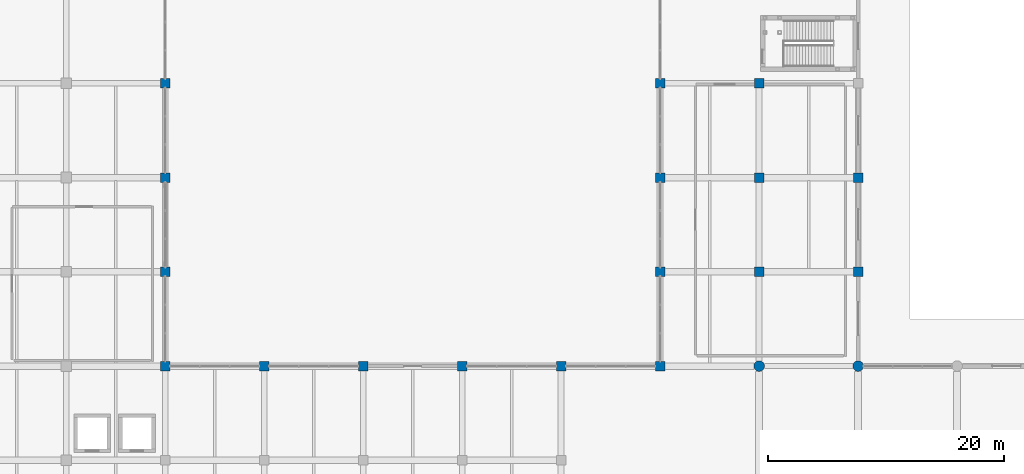
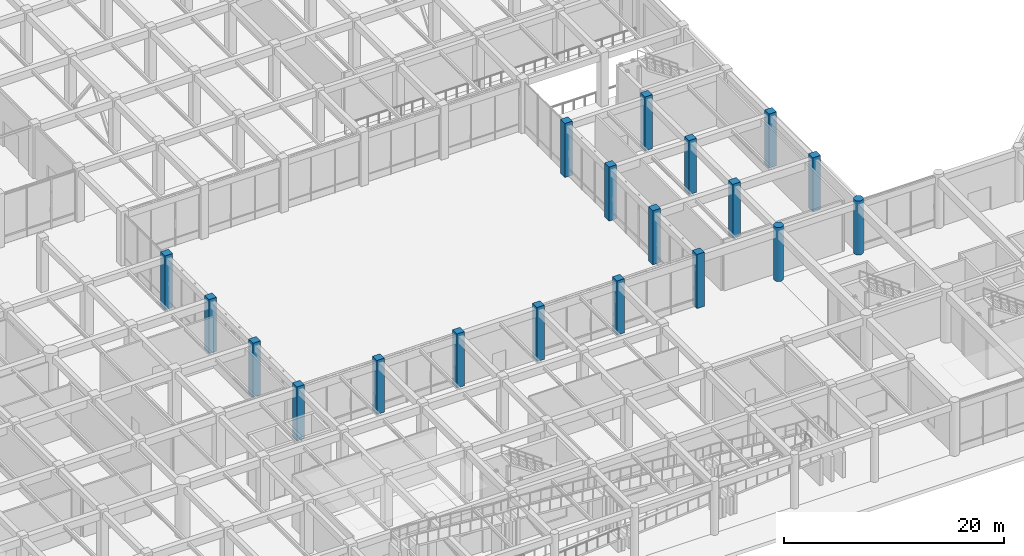
# One storey, part 7 of 76: 19 columns.
"""IFC4 building model written with IfcOpenShell, lengths in metres."""

from ifc_helpers import new_model, si_unit, direction, frame, origin, origin_2d, place, context, subcontext, project, spatial, rectangle, circle, extrude, material, material_profile, profile_set, type_object, element, save


model = new_model("IFC4")

# Units and contexts
model_context = context("Model", 3, precision=1e-05, world=origin(), true_north=direction((0.0, 1.0)))
body_context = subcontext(model_context, "Body", "Model", "MODEL_VIEW")
ifc_project = project(units=[si_unit("LENGTHUNIT", "METRE"), si_unit("AREAUNIT", "SQUARE_METRE"), si_unit("VOLUMEUNIT", "CUBIC_METRE"), si_unit("PLANEANGLEUNIT", "RADIAN"), si_unit("MASSUNIT", "GRAM", prefix="KILO")], contexts=[model_context])

# Site, building, storey
site_placement = place(None, origin())
site = spatial("IfcSite", under=ifc_project, at=site_placement, CompositionType="ELEMENT")
building_placement = place(site_placement, origin())
building = spatial("IfcBuilding", under=site, at=building_placement, Name="Naruveol Harbour Congress Hotel", CompositionType="ELEMENT")
storey_placement = place(building_placement, origin())
storey = spatial("IfcBuildingStorey", under=building, at=storey_placement, Name="L00", CompositionType="ELEMENT", Elevation=0.0)

# Columns
ifc_material_1 = material(Name="Concrete C50/60", Category="concrete")
ifc_material_profile_1 = material_profile(ifc_material_1, circle(Radius=0.449951171875, at=origin_2d()), Name="RC-D900")
ifc_profile_set_1 = profile_set([ifc_material_profile_1], Name="Concrete C50/60")
column_type_1 = type_object("IfcColumnType", Name="RC HARBOUR PILOTIS D900", PredefinedType="COLUMN", material=ifc_profile_set_1)
for number, where, z_axis, x_axis, name in (
    (1, (117.60009765625, 32.0, 0.0), (0.0, 0.0, 1.0), (1.0, 0.0, 0.0), "Column C-PD900 L00 (117.6,32.0)"),
    (2, (126.0, 32.0, 0.0), (0.0, 0.0, 1.0), (1.0, 0.0, 0.0), "Column C-PD900 L00 (126.0,32.0)"),
):
    element("IfcColumn", number, at=place(storey_placement, frame(where, z_axis=z_axis, x_axis=x_axis)), inside=storey, type_object=column_type_1, Name=name, PredefinedType="COLUMN", context=body_context, shape_type="SweptSolid", body=[
        extrude(circle(Radius=0.449951171875, at=origin_2d()), origin(), (0.0, 0.0, 1.0), 6.0),
    ])
ifc_material_2 = material(Name="Concrete C50/60", Category="concrete")
ifc_material_profile_2 = material_profile(ifc_material_2, rectangle(XDim=0.800048828125, YDim=0.800048828125, at=origin_2d()), Name="RC-800x800")
ifc_profile_set_2 = profile_set([ifc_material_profile_2], Name="Concrete C50/60")
column_type_2 = type_object("IfcColumnType", Name="RC PODIUM COLUMN 800X800", PredefinedType="COLUMN", material=ifc_profile_set_2)
for number, where, z_axis, x_axis, name in (
    (3, (67.199951171875, 32.0, 0.0), (0.0, 0.0, 1.0), (1.0, 0.0, 0.0), "Column C-800 L00 (67.2,32.0)"),
    (4, (67.199951171875, 40.0, 0.0), (0.0, 0.0, 1.0), (1.0, 0.0, 0.0), "Column C-800 L00 (67.2,40.0)"),
    (5, (67.199951171875, 48.0, 0.0), (0.0, 0.0, 1.0), (1.0, 0.0, 0.0), "Column C-800 L00 (67.2,48.0)"),
    (6, (67.199951171875, 56.0, 0.0), (0.0, 0.0, 1.0), (1.0, 0.0, 0.0), "Column C-800 L00 (67.2,56.0)"),
    (7, (75.60009765625, 32.0, 0.0), (0.0, 0.0, 1.0), (1.0, 0.0, 0.0), "Column C-800 L00 (75.6,32.0)"),
    (8, (84.0, 32.0, 0.0), (0.0, 0.0, 1.0), (1.0, 0.0, 0.0), "Column C-800 L00 (84.0,32.0)"),
    (9, (92.39990234375, 32.0, 0.0), (0.0, 0.0, 1.0), (1.0, 0.0, 0.0), "Column C-800 L00 (92.4,32.0)"),
    (10, (100.800048828125, 32.0, 0.0), (0.0, 0.0, 1.0), (1.0, 0.0, 0.0), "Column C-800 L00 (100.8,32.0)"),
    (11, (109.199951171875, 32.0, 0.0), (0.0, 0.0, 1.0), (1.0, 0.0, 0.0), "Column C-800 L00 (109.2,32.0)"),
    (12, (109.199951171875, 40.0, 0.0), (0.0, 0.0, 1.0), (1.0, 0.0, 0.0), "Column C-800 L00 (109.2,40.0)"),
    (13, (109.199951171875, 48.0, 0.0), (0.0, 0.0, 1.0), (1.0, 0.0, 0.0), "Column C-800 L00 (109.2,48.0)"),
    (14, (109.199951171875, 56.0, 0.0), (0.0, 0.0, 1.0), (1.0, 0.0, 0.0), "Column C-800 L00 (109.2,56.0)"),
    (15, (117.60009765625, 40.0, 0.0), (0.0, 0.0, 1.0), (1.0, 0.0, 0.0), "Column C-800 L00 (117.6,40.0)"),
    (16, (117.60009765625, 48.0, 0.0), (0.0, 0.0, 1.0), (1.0, 0.0, 0.0), "Column C-800 L00 (117.6,48.0)"),
    (17, (117.60009765625, 56.0, 0.0), (0.0, 0.0, 1.0), (1.0, 0.0, 0.0), "Column C-800 L00 (117.6,56.0)"),
    (18, (126.0, 40.0, 0.0), (0.0, 0.0, 1.0), (1.0, 0.0, 0.0), "Column C-800 L00 (126.0,40.0)"),
    (19, (126.0, 48.0, 0.0), (0.0, 0.0, 1.0), (1.0, 0.0, 0.0), "Column C-800 L00 (126.0,48.0)"),
):
    element("IfcColumn", number, at=place(storey_placement, frame(where, z_axis=z_axis, x_axis=x_axis)), inside=storey, type_object=column_type_2, Name=name, PredefinedType="COLUMN", context=body_context, shape_type="SweptSolid", body=[
        extrude(rectangle(XDim=0.800048828125, YDim=0.800048828125, at=origin_2d()), origin(), (0.0, 0.0, 1.0), 6.0),
    ])

save(model, "model.ifc")
